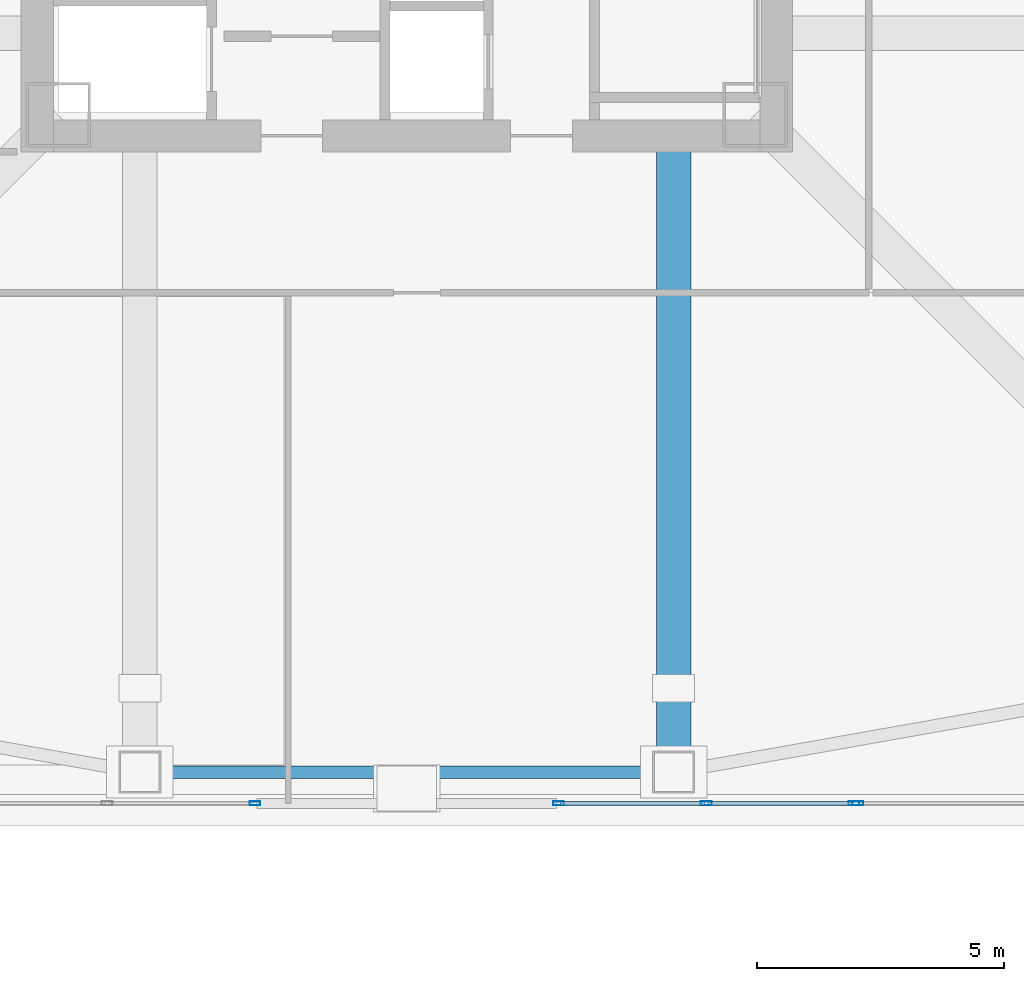
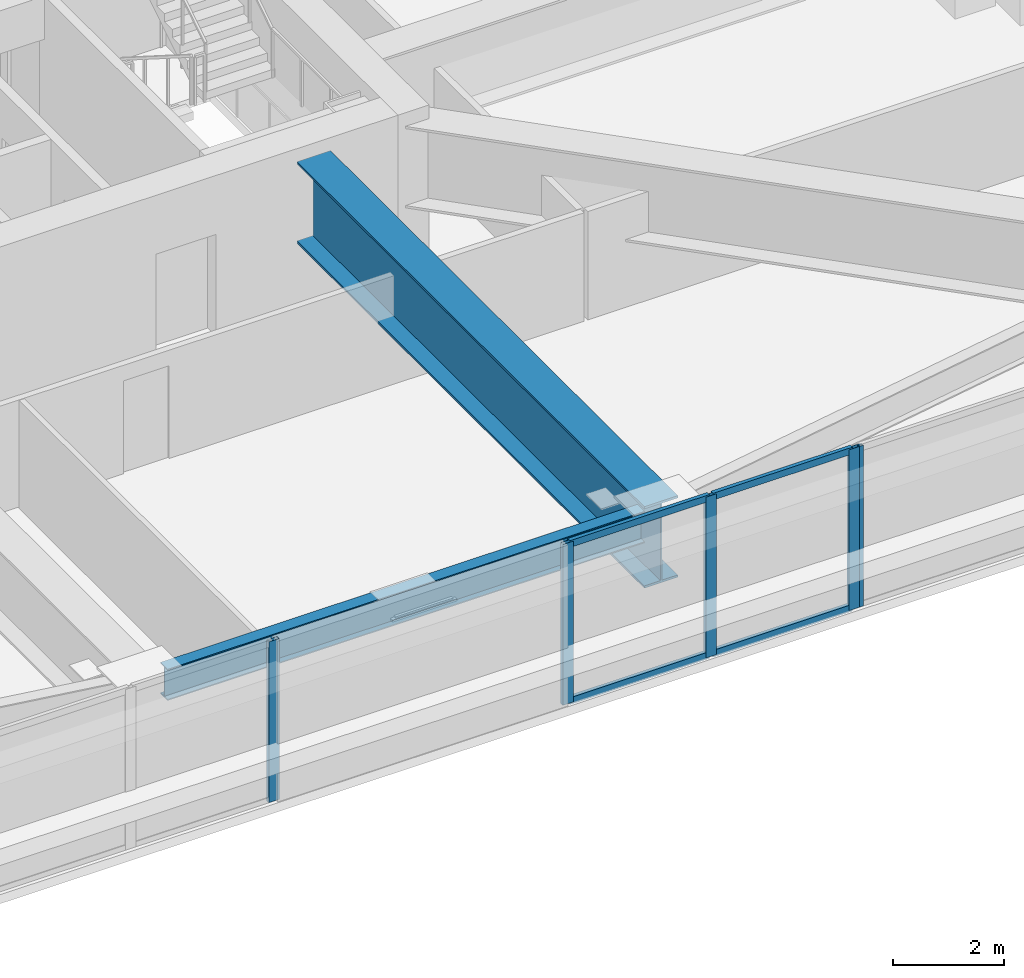
# One storey, part 5 of 49: 9 members, 2 beams, 3 elements without a shape of their own.
"""IFC4 building model written with IfcOpenShell, lengths in metres."""

from ifc_helpers import new_model, si_unit, direction, frame, origin, origin_2d, place, context, subcontext, project, spatial, hollow_rectangle, i_section, extrude, material, material_profile, profile_set, type_object, element, aggregate, save


model = new_model("IFC4")

# Units and contexts
model_context = context("Model", 3, precision=1e-05, world=origin(), true_north=direction((0.0, 1.0)))
body_context = subcontext(model_context, "Body", "Model", "MODEL_VIEW")
ifc_project = project(units=[si_unit("LENGTHUNIT", "METRE"), si_unit("AREAUNIT", "SQUARE_METRE"), si_unit("VOLUMEUNIT", "CUBIC_METRE"), si_unit("PLANEANGLEUNIT", "RADIAN"), si_unit("MASSUNIT", "GRAM", prefix="KILO")], contexts=[model_context])

# Site, building, storey
site_placement = place(None, origin())
site = spatial("IfcSite", under=ifc_project, at=site_placement, CompositionType="ELEMENT")
building_placement = place(site_placement, origin())
building = spatial("IfcBuilding", under=site, at=building_placement, Name="Tashvorn Skyway Center", CompositionType="ELEMENT")
storey_placement = place(building_placement, frame((0.0, 0.0, 106.25)))
storey = spatial("IfcBuildingStorey", under=building, at=storey_placement, Name="L28", CompositionType="ELEMENT", Elevation=106.25)

# Beams
ifc_material_1 = material(Name="Steel ASTM A572 Grade 50", Category="steel")
ifc_material_profile_1 = material_profile(ifc_material_1, i_section(OverallWidth=0.699951171875, OverallDepth=1.800048828125, WebThickness=0.031982421875, FlangeThickness=0.050048828125, at=origin_2d()), Name="PG1800x700")
ifc_profile_set_1 = profile_set([ifc_material_profile_1], Name="Steel ASTM A572 Grade 50")
beam_type_1 = type_object("IfcBeamType", Name="BM-BEAM-PG1800x700", PredefinedType="BEAM", material=ifc_profile_set_1)
beam_1_placement = place(storey_placement, frame((47.39990234375, 11.64990234375, 2.35009765625), z_axis=(0.0, 1.0, 0.0), x_axis=(-1.0, 0.0, 0.0)))
element("IfcBeam", 1, at=beam_1_placement, inside=storey, type_object=beam_type_1, Name="Tower 1 L28 Setback Transfer Girder FC-S2", PredefinedType="BEAM", context=body_context, shape_type="SweptSolid", body=[
    extrude(i_section(OverallWidth=0.699951171875, OverallDepth=1.800048828125, WebThickness=0.031982421875, FlangeThickness=0.050048828125, at=origin_2d()), origin(), (0.0, 0.0, 1.0), 12.570068359375),
])
ifc_material_2 = material(Name="Steel ASTM A992 Grade 50", Category="steel")
ifc_material_profile_2 = material_profile(ifc_material_2, i_section(OverallWidth=0.256103515625, OverallDepth=0.693115234375, WebThickness=0.014404296875, FlangeThickness=0.023681640625, at=origin_2d()), Name="W27X114")
ifc_profile_set_2 = profile_set([ifc_material_profile_2], Name="Steel ASTM A992 Grade 50")
beam_type_2 = type_object("IfcBeamType", Name="BM-SPANDREL-W27X114", PredefinedType="SPANDREL", material=ifc_profile_set_2)
beam_2_placement = place(storey_placement, frame((37.02001953125, 11.64990234375, 2.903564453125), z_axis=(1.0, 0.0, 0.0), x_axis=(0.0, 1.0, 0.0)))
element("IfcBeam", 2, at=beam_2_placement, inside=storey, type_object=beam_type_2, Name="Tower 1 L28 Spandrel Beam 02", PredefinedType="SPANDREL", context=body_context, shape_type="SweptSolid", body=[
    extrude(i_section(OverallWidth=0.256103515625, OverallDepth=0.693115234375, WebThickness=0.014404296875, FlangeThickness=0.023681640625, at=origin_2d()), origin(), (0.0, 0.0, 1.0), 9.9599609375),
])

# Curtain wall, member
ifc_material_3 = material(Name="Thermally broken bronze-anodized aluminium 6063-T6", Category="aluminium")
curtain_wall_type = type_object("IfcCurtainWallType", Name="CW-CW-Z2", PredefinedType="NOTDEFINED", material=ifc_material_3)
curtain_wall_1_placement = place(storey_placement, origin())
curtain_wall_1 = element("IfcCurtainWall", 3, at=curtain_wall_1_placement, inside=storey, type_object=curtain_wall_type, Name="Tower 1 L28 South Unitised Curtain Wall Glazing Group 1", PredefinedType="NOTDEFINED")
ifc_material_profile_3 = material_profile(ifc_material_3, hollow_rectangle(XDim=0.080078125, YDim=0.219970703125, WallThickness=0.0048828125, at=origin_2d()), Name="ALU-MULL-80x220")
ifc_profile_set_3 = profile_set([ifc_material_profile_3], Name="Thermally broken bronze-anodized aluminium 6063-T6")
member_type_1 = type_object("IfcMemberType", Name="CWM-CW-Z2", PredefinedType="MULLION", material=ifc_profile_set_3)
member_1_placement = place(storey_placement, frame((51.1298828125, 11.02001953125, 0.0), z_axis=(0.0, 0.0, 1.0), x_axis=(0.0, -1.0, 0.0)))
member_1 = element("IfcMember", 4, at=member_1_placement, type_object=member_type_1, Name="CW-Z2 mullion 2", PredefinedType="MULLION", context=body_context, shape_type="SweptSolid", body=[
    extrude(hollow_rectangle(XDim=0.080078125, YDim=0.219970703125, WallThickness=0.0048828125, at=origin_2d()), origin(), (0.0, 0.0, 1.0), 3.550048828125),
])
aggregate(curtain_wall_1, [member_1])

# Curtain wall, members
curtain_wall_2_placement = place(storey_placement, origin())
curtain_wall_2 = element("IfcCurtainWall", 5, at=curtain_wall_2_placement, inside=storey, type_object=curtain_wall_type, Name="Tower 1 L28 South Unitised Curtain Wall Glazing Group 2", PredefinedType="NOTDEFINED")
member_2_placement = place(storey_placement, frame((51.050048828125, 11.02001953125, 0.0), z_axis=(0.0, 0.0, 1.0), x_axis=(0.0, -1.0, 0.0)))
member_2 = element("IfcMember", 6, at=member_2_placement, type_object=member_type_1, Name="CW-Z2 mullion 1", PredefinedType="MULLION", context=body_context, shape_type="SweptSolid", body=[
    extrude(hollow_rectangle(XDim=0.080078125, YDim=0.219970703125, WallThickness=0.0048828125, at=origin_2d()), origin(), (0.0, 0.0, 1.0), 3.550048828125),
])
member_3_placement = place(storey_placement, frame((48.06005859375, 11.02001953125, 0.0), z_axis=(0.0, 0.0, 1.0), x_axis=(0.0, -1.0, 0.0)))
member_3 = element("IfcMember", 7, at=member_3_placement, type_object=member_type_1, Name="CW-Z2 mullion 2", PredefinedType="MULLION", context=body_context, shape_type="SweptSolid", body=[
    extrude(hollow_rectangle(XDim=0.080078125, YDim=0.219970703125, WallThickness=0.0048828125, at=origin_2d()), origin(), (0.0, 0.0, 1.0), 3.550048828125),
])
member_4_placement = place(storey_placement, frame((45.070068359375, 11.02001953125, 0.0), z_axis=(0.0, 0.0, 1.0), x_axis=(0.0, -1.0, 0.0)))
member_4 = element("IfcMember", 8, at=member_4_placement, type_object=member_type_1, Name="CW-Z2 mullion 3", PredefinedType="MULLION", context=body_context, shape_type="SweptSolid", body=[
    extrude(hollow_rectangle(XDim=0.080078125, YDim=0.219970703125, WallThickness=0.0048828125, at=origin_2d()), origin(), (0.0, 0.0, 1.0), 3.550048828125),
])

# Curtain wall, member
curtain_wall_3_placement = place(storey_placement, origin())
curtain_wall_3 = element("IfcCurtainWall", 9, at=curtain_wall_3_placement, inside=storey, type_object=curtain_wall_type, Name="Tower 1 L28 South Unitised Curtain Wall Glazing Group 3", PredefinedType="NOTDEFINED")
member_5_placement = place(storey_placement, frame((38.929931640625, 11.02001953125, 0.0), z_axis=(0.0, 0.0, 1.0), x_axis=(0.0, -1.0, 0.0)))
member_5 = element("IfcMember", 10, at=member_5_placement, type_object=member_type_1, Name="CW-Z2 mullion 1", PredefinedType="MULLION", context=body_context, shape_type="SweptSolid", body=[
    extrude(hollow_rectangle(XDim=0.080078125, YDim=0.219970703125, WallThickness=0.0048828125, at=origin_2d()), origin(), (0.0, 0.0, 1.0), 3.550048828125),
])
aggregate(curtain_wall_3, [member_5])

# Member
ifc_material_profile_4 = material_profile(ifc_material_3, hollow_rectangle(XDim=0.080078125, YDim=0.14990234375, WallThickness=0.00439453125, at=origin_2d()), Name="ALU-TRAN-80x150")
ifc_profile_set_4 = profile_set([ifc_material_profile_4], Name="Thermally broken bronze-anodized aluminium 6063-T6")
member_type_2 = type_object("IfcMemberType", Name="CWT-CW-Z2", PredefinedType="USERDEFINED", material=ifc_profile_set_4)
member_6_placement = place(storey_placement, frame((51.010009765625, 11.02001953125, 0.0400390625), z_axis=(-1.0, 0.0, 0.0), x_axis=(0.0, -1.0, 0.0)))
member_6 = element("IfcMember", 11, at=member_6_placement, type_object=member_type_2, Name="CW-Z2 transom 1.1", ObjectType="TRANSOM", PredefinedType="USERDEFINED", context=body_context, shape_type="SweptSolid", body=[
    extrude(hollow_rectangle(XDim=0.080078125, YDim=0.14990234375, WallThickness=0.00439453125, at=origin_2d()), origin(), (0.0, 0.0, 1.0), 2.909912109375),
])

member_7_placement = place(storey_placement, frame((51.010009765625, 11.02001953125, 3.510009765625), z_axis=(-1.0, 0.0, 0.0), x_axis=(0.0, -1.0, 0.0)))
member_7 = element("IfcMember", 12, at=member_7_placement, type_object=member_type_2, Name="CW-Z2 transom 1.2", ObjectType="TRANSOM", PredefinedType="USERDEFINED", context=body_context, shape_type="SweptSolid", body=[
    extrude(hollow_rectangle(XDim=0.080078125, YDim=0.14990234375, WallThickness=0.00439453125, at=origin_2d()), origin(), (0.0, 0.0, 1.0), 2.909912109375),
])

member_8_placement = place(storey_placement, frame((48.02001953125, 11.02001953125, 0.0400390625), z_axis=(-1.0, 0.0, 0.0), x_axis=(0.0, -1.0, 0.0)))
member_8 = element("IfcMember", 13, at=member_8_placement, type_object=member_type_2, Name="CW-Z2 transom 2.1", ObjectType="TRANSOM", PredefinedType="USERDEFINED", context=body_context, shape_type="SweptSolid", body=[
    extrude(hollow_rectangle(XDim=0.080078125, YDim=0.14990234375, WallThickness=0.00439453125, at=origin_2d()), origin(), (0.0, 0.0, 1.0), 2.909912109375),
])

member_9_placement = place(storey_placement, frame((48.02001953125, 11.02001953125, 3.510009765625), z_axis=(-1.0, 0.0, 0.0), x_axis=(0.0, -1.0, 0.0)))
member_9 = element("IfcMember", 14, at=member_9_placement, type_object=member_type_2, Name="CW-Z2 transom 2.2", ObjectType="TRANSOM", PredefinedType="USERDEFINED", context=body_context, shape_type="SweptSolid", body=[
    extrude(hollow_rectangle(XDim=0.080078125, YDim=0.14990234375, WallThickness=0.00439453125, at=origin_2d()), origin(), (0.0, 0.0, 1.0), 2.909912109375),
])

aggregate(curtain_wall_2, [member_2, member_3, member_4, member_6, member_7, member_8, member_9])

save(model, "model.ifc")
